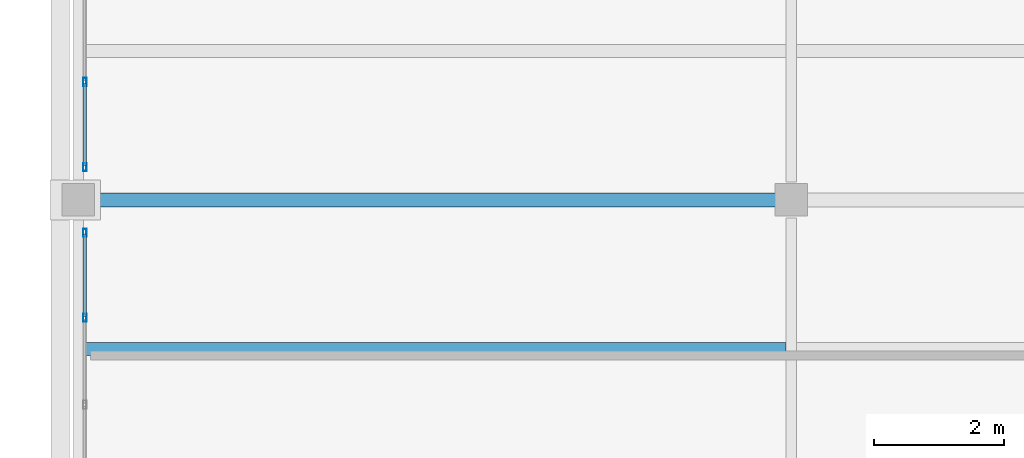
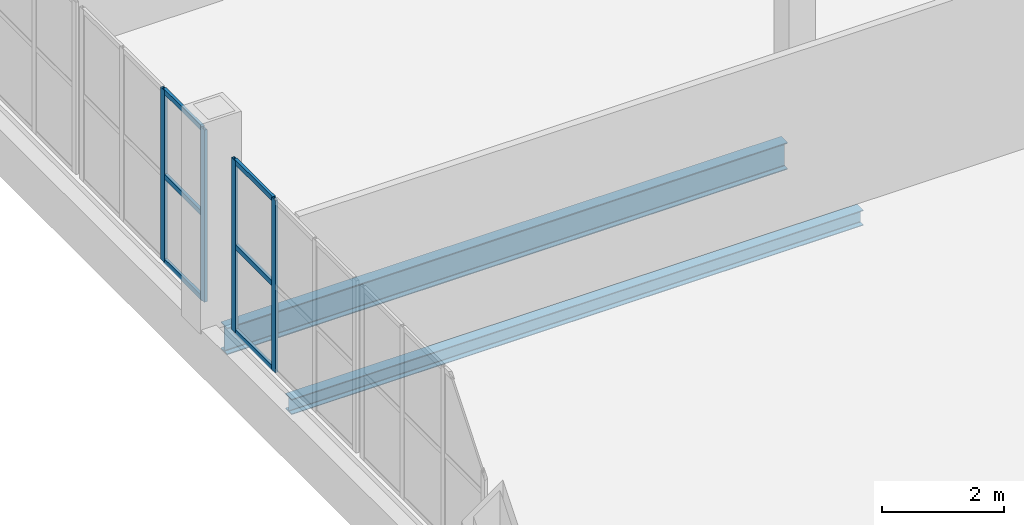
# One storey, part 17 of 26: 10 members, 2 beams, 2 elements without a shape of their own.
"""IFC4 building model written with IfcOpenShell, lengths in metres."""

from ifc_helpers import new_model, si_unit, direction, frame, origin, origin_2d, place, context, subcontext, project, spatial, hollow_rectangle, i_section, extrude, material, material_profile, profile_set, type_object, element, aggregate, save


model = new_model("IFC4")

# Units and contexts
model_context = context("Model", 3, precision=1e-05, world=origin(), true_north=direction((0.0, 1.0)))
body_context = subcontext(model_context, "Body", "Model", "MODEL_VIEW")
ifc_project = project(units=[si_unit("LENGTHUNIT", "METRE"), si_unit("AREAUNIT", "SQUARE_METRE"), si_unit("VOLUMEUNIT", "CUBIC_METRE"), si_unit("PLANEANGLEUNIT", "RADIAN"), si_unit("MASSUNIT", "GRAM", prefix="KILO")], contexts=[model_context])

# Site, building, storey
site_placement = place(None, origin())
site = spatial("IfcSite", under=ifc_project, at=site_placement, CompositionType="ELEMENT")
building_placement = place(site_placement, origin())
building = spatial("IfcBuilding", under=site, at=building_placement, Name="Caurita Quay Ferry Terminal", CompositionType="ELEMENT")
storey_placement = place(building_placement, frame((0.0, 0.0, 18.300048828125)))
storey = spatial("IfcBuildingStorey", under=building, at=storey_placement, Name="L04", CompositionType="ELEMENT", Elevation=18.300048828125)

# Beams
ifc_material_1 = material(Name="Structural steel ASTM A992 Gr. 50", Category="steel")
ifc_material_profile_1 = material_profile(ifc_material_1, i_section(OverallWidth=0.210693359375, OverallDepth=0.53857421875, WebThickness=0.01171875, FlangeThickness=0.018798828125, FilletRadius=0.013916015625, at=origin_2d()), Name="W21X73")
ifc_profile_set_1 = profile_set([ifc_material_profile_1], Name="Structural steel ASTM A992 Gr. 50")
beam_type_1 = type_object("IfcBeamType", Name="BM-GR-W21A", PredefinedType="BEAM", material=ifc_profile_set_1)
beam_1_placement = place(storey_placement, frame((0.19140625, 98.60009765625, -0.4892578125), z_axis=(1.0, 0.0, 0.0), x_axis=(0.0, 1.0, 0.0)))
element("IfcBeam", 1, at=beam_1_placement, inside=storey, type_object=beam_type_1, Name="L04 Beam BM-V5-L04-X-2-986", PredefinedType="BEAM", context=body_context, shape_type="SweptSolid", body=[
    extrude(i_section(OverallWidth=0.210693359375, OverallDepth=0.53857421875, WebThickness=0.01171875, FlangeThickness=0.018798828125, FilletRadius=0.013916015625, at=origin_2d()), origin(), (0.0, 0.0, 1.0), 10.6171875),
])
ifc_material_profile_2 = material_profile(ifc_material_1, i_section(OverallWidth=0.20458984375, OverallDepth=0.307373046875, WebThickness=0.008544921875, FlangeThickness=0.0146484375, FilletRadius=0.0126953125, at=origin_2d()), Name="W12X45")
ifc_profile_set_2 = profile_set([ifc_material_profile_2], Name="Structural steel ASTM A992 Gr. 50")
beam_type_2 = type_object("IfcBeamType", Name="BM-JS-W12B", PredefinedType="JOIST", material=ifc_profile_set_2)
beam_2_placement = place(storey_placement, frame((0.083251953125, 96.300048828125, -0.373779296875), z_axis=(1.0, 0.0, 0.0), x_axis=(0.0, 1.0, 0.0)))
element("IfcBeam", 2, at=beam_2_placement, inside=storey, type_object=beam_type_2, Name="L04 Beam JS-V5-L04-007", PredefinedType="JOIST", context=body_context, shape_type="SweptSolid", body=[
    extrude(i_section(OverallWidth=0.20458984375, OverallDepth=0.307373046875, WebThickness=0.008544921875, FlangeThickness=0.0146484375, FilletRadius=0.0126953125, at=origin_2d()), origin(), (0.0, 0.0, 1.0), 10.83349609375),
])

# Curtain wall, members
ifc_material_2 = material(Name="Laminated solar-control insulated glass", Category="glass")
curtain_wall_type = type_object("IfcCurtainWallType", Name="CW-SYS-21", PredefinedType="NOTDEFINED", material=ifc_material_2)
curtain_wall_1_placement = place(storey_placement, origin())
curtain_wall_1 = element("IfcCurtainWall", 3, at=curtain_wall_1_placement, inside=storey, type_object=curtain_wall_type, Name="VTS Watch Panoramic Curtain Wall 147", PredefinedType="NOTDEFINED")
ifc_material_3 = material(Name="Anodized aluminium 6063-T6", Category="aluminium")
ifc_material_profile_3 = material_profile(ifc_material_3, hollow_rectangle(XDim=0.054931640625, YDim=0.125, WallThickness=0.00341796875, at=origin_2d()), Name="ALU-MUL-55X125")
ifc_profile_set_3 = profile_set([ifc_material_profile_3], Name="Anodized aluminium 6063-T6")
member_type_1 = type_object("IfcMemberType", Name="CW-MUL-125", PredefinedType="MULLION", material=ifc_profile_set_3)
member_1_placement = place(storey_placement, frame((0.10009765625, 96.780029296875, 0.0), z_axis=(0.0, 0.0, 1.0), x_axis=(-1.0, 0.0, 0.0)))
member_1 = element("IfcMember", 4, at=member_1_placement, type_object=member_type_1, Name="CW-VTS-147 Mullion 3", PredefinedType="MULLION", context=body_context, shape_type="SweptSolid", body=[
    extrude(hollow_rectangle(XDim=0.054931640625, YDim=0.125, WallThickness=0.00341796875, at=origin_2d()), origin(), (0.0, 0.0, 1.0), 3.449951171875),
])
member_2_placement = place(storey_placement, frame((0.10009765625, 98.092529296875, 0.0), z_axis=(0.0, 0.0, 1.0), x_axis=(-1.0, 0.0, 0.0)))
member_2 = element("IfcMember", 5, at=member_2_placement, type_object=member_type_1, Name="CW-VTS-147 Mullion 4", PredefinedType="MULLION", context=body_context, shape_type="SweptSolid", body=[
    extrude(hollow_rectangle(XDim=0.054931640625, YDim=0.125, WallThickness=0.00341796875, at=origin_2d()), origin(), (0.0, 0.0, 1.0), 3.449951171875),
])

curtain_wall_2_placement = place(storey_placement, origin())
curtain_wall_2 = element("IfcCurtainWall", 6, at=curtain_wall_2_placement, inside=storey, type_object=curtain_wall_type, Name="VTS Watch Panoramic Curtain Wall 148", PredefinedType="NOTDEFINED")
member_3_placement = place(storey_placement, frame((0.10009765625, 99.107421875, 0.0), z_axis=(0.0, 0.0, 1.0), x_axis=(-1.0, 0.0, 0.0)))
member_3 = element("IfcMember", 7, at=member_3_placement, type_object=member_type_1, Name="CW-VTS-148 Mullion 1", PredefinedType="MULLION", context=body_context, shape_type="SweptSolid", body=[
    extrude(hollow_rectangle(XDim=0.054931640625, YDim=0.125, WallThickness=0.00341796875, at=origin_2d()), origin(), (0.0, 0.0, 1.0), 3.449951171875),
])
member_4_placement = place(storey_placement, frame((0.10009765625, 100.419921875, 0.0), z_axis=(0.0, 0.0, 1.0), x_axis=(-1.0, 0.0, 0.0)))
member_4 = element("IfcMember", 8, at=member_4_placement, type_object=member_type_1, Name="CW-VTS-148 Mullion 2", PredefinedType="MULLION", context=body_context, shape_type="SweptSolid", body=[
    extrude(hollow_rectangle(XDim=0.054931640625, YDim=0.125, WallThickness=0.00341796875, at=origin_2d()), origin(), (0.0, 0.0, 1.0), 3.449951171875),
])

# Member
ifc_material_profile_4 = material_profile(ifc_material_3, hollow_rectangle(XDim=0.054931640625, YDim=0.10009765625, WallThickness=0.00341796875, at=origin_2d()), Name="ALU-TRN-55X100")
ifc_profile_set_4 = profile_set([ifc_material_profile_4], Name="Anodized aluminium 6063-T6")
member_type_2 = type_object("IfcMemberType", Name="CW-TRN-100", PredefinedType="USERDEFINED", material=ifc_profile_set_4)
member_5_placement = place(storey_placement, frame((0.10009765625, 96.805419921875, 0.02734375), z_axis=(0.0, 1.0, 0.0), x_axis=(-1.0, 0.0, 0.0)))
member_5 = element("IfcMember", 9, at=member_5_placement, type_object=member_type_2, Name="CW-VTS-147 Transom 7", ObjectType="TRANSOM", PredefinedType="USERDEFINED", context=body_context, shape_type="SweptSolid", body=[
    extrude(hollow_rectangle(XDim=0.054931640625, YDim=0.10009765625, WallThickness=0.00341796875, at=origin_2d()), origin(), (0.0, 0.0, 1.0), 1.261474609375),
])

member_6_placement = place(storey_placement, frame((0.10009765625, 96.805419921875, 1.724853515625), z_axis=(0.0, 1.0, 0.0), x_axis=(-1.0, 0.0, 0.0)))
member_6 = element("IfcMember", 10, at=member_6_placement, type_object=member_type_2, Name="CW-VTS-147 Transom 8", ObjectType="TRANSOM", PredefinedType="USERDEFINED", context=body_context, shape_type="SweptSolid", body=[
    extrude(hollow_rectangle(XDim=0.054931640625, YDim=0.10009765625, WallThickness=0.00341796875, at=origin_2d()), origin(), (0.0, 0.0, 1.0), 1.261474609375),
])

member_7_placement = place(storey_placement, frame((0.10009765625, 96.805419921875, 3.42236328125), z_axis=(0.0, 1.0, 0.0), x_axis=(-1.0, 0.0, 0.0)))
member_7 = element("IfcMember", 11, at=member_7_placement, type_object=member_type_2, Name="CW-VTS-147 Transom 9", ObjectType="TRANSOM", PredefinedType="USERDEFINED", context=body_context, shape_type="SweptSolid", body=[
    extrude(hollow_rectangle(XDim=0.054931640625, YDim=0.10009765625, WallThickness=0.00341796875, at=origin_2d()), origin(), (0.0, 0.0, 1.0), 1.261474609375),
])

aggregate(curtain_wall_1, [member_1, member_2, member_5, member_6, member_7])

member_8_placement = place(storey_placement, frame((0.10009765625, 99.133056640625, 0.02734375), z_axis=(0.0, 1.0, 0.0), x_axis=(-1.0, 0.0, 0.0)))
member_8 = element("IfcMember", 12, at=member_8_placement, type_object=member_type_2, Name="CW-VTS-148 Transom 1", ObjectType="TRANSOM", PredefinedType="USERDEFINED", context=body_context, shape_type="SweptSolid", body=[
    extrude(hollow_rectangle(XDim=0.054931640625, YDim=0.10009765625, WallThickness=0.00341796875, at=origin_2d()), origin(), (0.0, 0.0, 1.0), 1.261474609375),
])

member_9_placement = place(storey_placement, frame((0.10009765625, 99.133056640625, 1.724853515625), z_axis=(0.0, 1.0, 0.0), x_axis=(-1.0, 0.0, 0.0)))
member_9 = element("IfcMember", 13, at=member_9_placement, type_object=member_type_2, Name="CW-VTS-148 Transom 2", ObjectType="TRANSOM", PredefinedType="USERDEFINED", context=body_context, shape_type="SweptSolid", body=[
    extrude(hollow_rectangle(XDim=0.054931640625, YDim=0.10009765625, WallThickness=0.00341796875, at=origin_2d()), origin(), (0.0, 0.0, 1.0), 1.261474609375),
])

member_10_placement = place(storey_placement, frame((0.10009765625, 99.133056640625, 3.42236328125), z_axis=(0.0, 1.0, 0.0), x_axis=(-1.0, 0.0, 0.0)))
member_10 = element("IfcMember", 14, at=member_10_placement, type_object=member_type_2, Name="CW-VTS-148 Transom 3", ObjectType="TRANSOM", PredefinedType="USERDEFINED", context=body_context, shape_type="SweptSolid", body=[
    extrude(hollow_rectangle(XDim=0.054931640625, YDim=0.10009765625, WallThickness=0.00341796875, at=origin_2d()), origin(), (0.0, 0.0, 1.0), 1.261474609375),
])

aggregate(curtain_wall_2, [member_3, member_4, member_8, member_9, member_10])

save(model, "model.ifc")
